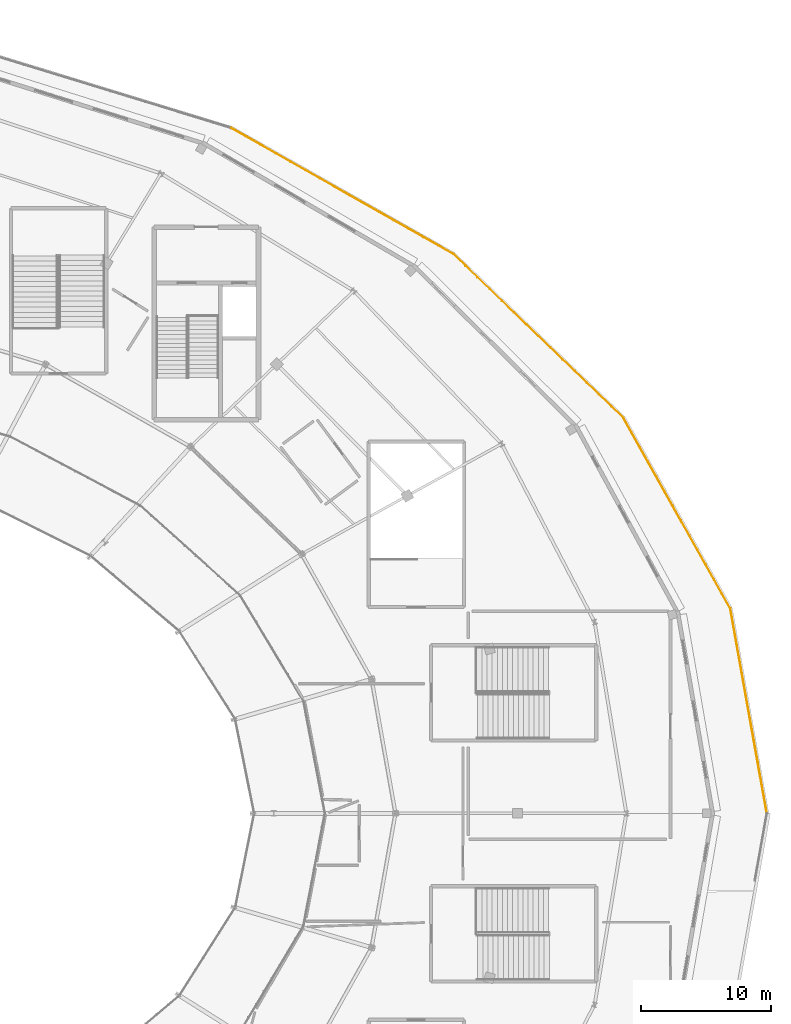
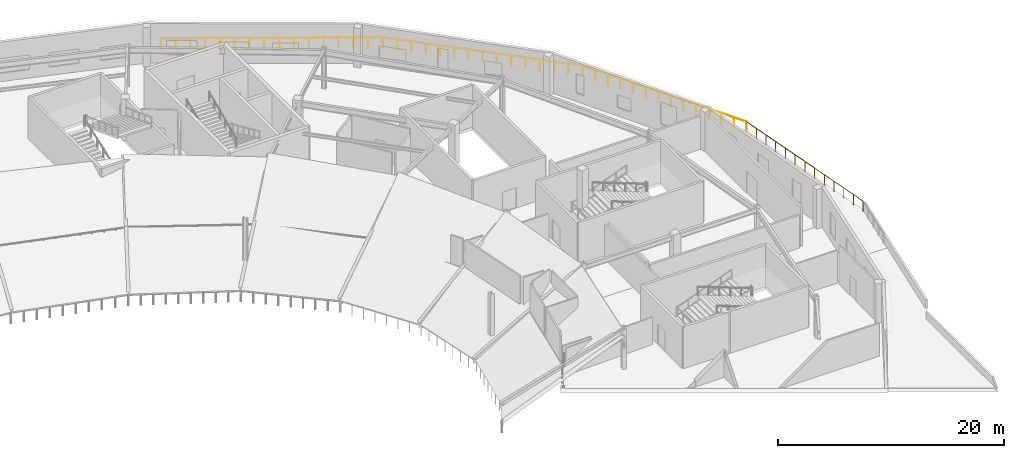
# One storey, part 63 of 63: 4 railings.
"""IFC4 building model written with IfcOpenShell, lengths in metres."""

from ifc_helpers import new_model, si_unit, direction, frame, origin, origin_2d, place, context, subcontext, project, spatial, circle, extrude, material, type_object, element, save


model = new_model("IFC4")

# Units and contexts
model_context = context("Model", 3, precision=1e-05, world=origin(), true_north=direction((0.0, 1.0)))
body_context = subcontext(model_context, "Body", "Model", "MODEL_VIEW")
ifc_project = project(units=[si_unit("LENGTHUNIT", "METRE"), si_unit("AREAUNIT", "SQUARE_METRE"), si_unit("VOLUMEUNIT", "CUBIC_METRE"), si_unit("PLANEANGLEUNIT", "RADIAN"), si_unit("MASSUNIT", "GRAM", prefix="KILO")], contexts=[model_context])

# Site, building, storey
site_placement = place(None, origin())
site = spatial("IfcSite", under=ifc_project, at=site_placement, CompositionType="ELEMENT")
building_placement = place(site_placement, origin())
building = spatial("IfcBuilding", under=site, at=building_placement, Name="Kalgoora Escarpment Arena", CompositionType="ELEMENT")
storey_placement = place(building_placement, frame((0.0, 0.0, 14.39990234375)))
storey = spatial("IfcBuildingStorey", under=building, at=storey_placement, Name="L03", CompositionType="ELEMENT", Elevation=14.39990234375)

# Railings
ifc_material = material(Name="Champagne anodised aluminium & laminated glass", Category="aluminium")
railing_type = type_object("IfcRailingType", Name="RAL-TERR-1100", PredefinedType="GUARDRAIL", material=ifc_material)
railing_1_placement = place(storey_placement, frame((133.736328125, 116.85302734375, 0.0)))
element("IfcRailing", 1, at=railing_1_placement, inside=storey, type_object=railing_type, Name="Upper Planted Elliptical Garden Terrace perimeter guardrail 019", PredefinedType="GUARDRAIL", context=body_context, shape_type="SweptSolid", body=[
    extrude(circle(Radius=0.02392578125, at=origin_2d()), frame((0.0, 0.0, 1.09619140625), z_axis=(0.8698367404, -0.493339685258, 0.0), x_axis=(0.493339685258, 0.8698367404, 0.0)), (0.0, 0.0, 1.0), 19.6767578125),
    extrude(circle(Radius=0.02099609375, at=origin_2d()), origin(), (0.0, 0.0, 1.0), 1.072021484375),
    extrude(circle(Radius=0.02099609375, at=origin_2d()), frame((1.14111328125, -0.647216796875, 0.0)), (0.0, 0.0, 1.0), 1.072021484375),
    extrude(circle(Radius=0.02099609375, at=origin_2d()), frame((2.281982421875, -1.294189453125, 0.0)), (0.0, 0.0, 1.0), 1.072021484375),
    extrude(circle(Radius=0.02099609375, at=origin_2d()), frame((3.423095703125, -1.94140625, 0.0)), (0.0, 0.0, 1.0), 1.072021484375),
    extrude(circle(Radius=0.02099609375, at=origin_2d()), frame((4.564208984375, -2.588623046875, 0.0)), (0.0, 0.0, 1.0), 1.072021484375),
    extrude(circle(Radius=0.02099609375, at=origin_2d()), frame((5.705078125, -3.23583984375, 0.0)), (0.0, 0.0, 1.0), 1.072021484375),
    extrude(circle(Radius=0.02099609375, at=origin_2d()), frame((6.84619140625, -3.8828125, 0.0)), (0.0, 0.0, 1.0), 1.072021484375),
    extrude(circle(Radius=0.02099609375, at=origin_2d()), frame((7.9873046875, -4.530029296875, 0.0)), (0.0, 0.0, 1.0), 1.072021484375),
    extrude(circle(Radius=0.02099609375, at=origin_2d()), frame((9.128173828125, -5.17724609375, 0.0)), (0.0, 0.0, 1.0), 1.072021484375),
    extrude(circle(Radius=0.02099609375, at=origin_2d()), frame((10.269287109375, -5.824462890625, 0.0)), (0.0, 0.0, 1.0), 1.072021484375),
    extrude(circle(Radius=0.02099609375, at=origin_2d()), frame((11.410400390625, -6.471435546875, 0.0)), (0.0, 0.0, 1.0), 1.072021484375),
    extrude(circle(Radius=0.02099609375, at=origin_2d()), frame((12.55126953125, -7.11865234375, 0.0)), (0.0, 0.0, 1.0), 1.072021484375),
    extrude(circle(Radius=0.02099609375, at=origin_2d()), frame((13.6923828125, -7.765869140625, 0.0)), (0.0, 0.0, 1.0), 1.072021484375),
    extrude(circle(Radius=0.02099609375, at=origin_2d()), frame((14.83349609375, -8.4130859375, 0.0)), (0.0, 0.0, 1.0), 1.072021484375),
    extrude(circle(Radius=0.02099609375, at=origin_2d()), frame((15.974365234375, -9.06005859375, 0.0)), (0.0, 0.0, 1.0), 1.072021484375),
    extrude(circle(Radius=0.02099609375, at=origin_2d()), frame((17.115478515625, -9.707275390625, 0.0)), (0.0, 0.0, 1.0), 1.072021484375),
])
railing_2_placement = place(storey_placement, frame((150.851806640625, 107.145751953125, 0.0)))
element("IfcRailing", 2, at=railing_2_placement, inside=storey, type_object=railing_type, Name="Upper Planted Elliptical Garden Terrace perimeter guardrail 020", PredefinedType="GUARDRAIL", context=body_context, shape_type="SweptSolid", body=[
    extrude(circle(Radius=0.02392578125, at=origin_2d()), frame((0.0, 0.0, 1.09619140625), z_axis=(0.720223535325, -0.693742069623, 0.0), x_axis=(0.693742069623, 0.720223535325, 0.0)), (0.0, 0.0, 1.0), 18.2265625),
    extrude(circle(Radius=0.02099609375, at=origin_2d()), origin(), (0.0, 0.0, 1.0), 1.072021484375),
    extrude(circle(Radius=0.02099609375, at=origin_2d()), frame((0.937744140625, -0.903076171875, 0.0)), (0.0, 0.0, 1.0), 1.072021484375),
    extrude(circle(Radius=0.02099609375, at=origin_2d()), frame((1.875244140625, -1.806396484375, 0.0)), (0.0, 0.0, 1.0), 1.072021484375),
    extrude(circle(Radius=0.02099609375, at=origin_2d()), frame((2.81298828125, -2.70947265625, 0.0)), (0.0, 0.0, 1.0), 1.072021484375),
    extrude(circle(Radius=0.02099609375, at=origin_2d()), frame((3.750732421875, -3.61279296875, 0.0)), (0.0, 0.0, 1.0), 1.072021484375),
    extrude(circle(Radius=0.02099609375, at=origin_2d()), frame((4.688232421875, -4.515869140625, 0.0)), (0.0, 0.0, 1.0), 1.072021484375),
    extrude(circle(Radius=0.02099609375, at=origin_2d()), frame((5.6259765625, -5.419189453125, 0.0)), (0.0, 0.0, 1.0), 1.072021484375),
    extrude(circle(Radius=0.02099609375, at=origin_2d()), frame((6.5634765625, -6.322265625, 0.0)), (0.0, 0.0, 1.0), 1.072021484375),
    extrude(circle(Radius=0.02099609375, at=origin_2d()), frame((7.501220703125, -7.225341796875, 0.0)), (0.0, 0.0, 1.0), 1.072021484375),
    extrude(circle(Radius=0.02099609375, at=origin_2d()), frame((8.43896484375, -8.128662109375, 0.0)), (0.0, 0.0, 1.0), 1.072021484375),
    extrude(circle(Radius=0.02099609375, at=origin_2d()), frame((9.37646484375, -9.03173828125, 0.0)), (0.0, 0.0, 1.0), 1.072021484375),
    extrude(circle(Radius=0.02099609375, at=origin_2d()), frame((10.314208984375, -9.93505859375, 0.0)), (0.0, 0.0, 1.0), 1.072021484375),
    extrude(circle(Radius=0.02099609375, at=origin_2d()), frame((11.251953125, -10.838134765625, 0.0)), (0.0, 0.0, 1.0), 1.072021484375),
    extrude(circle(Radius=0.02099609375, at=origin_2d()), frame((12.189453125, -11.741455078125, 0.0)), (0.0, 0.0, 1.0), 1.072021484375),
    extrude(circle(Radius=0.02099609375, at=origin_2d()), frame((13.127197265625, -12.64453125, 0.0)), (0.0, 0.0, 1.0), 1.072021484375),
])
railing_3_placement = place(storey_placement, frame((163.97900390625, 94.501220703125, 0.0)))
element("IfcRailing", 3, at=railing_3_placement, inside=storey, type_object=railing_type, Name="Upper Planted Elliptical Garden Terrace perimeter guardrail 021", PredefinedType="GUARDRAIL", context=body_context, shape_type="SweptSolid", body=[
    extrude(circle(Radius=0.02392578125, at=origin_2d()), frame((0.0, 0.0, 1.09619140625), z_axis=(0.488860270972, -0.872362101117, 0.0), x_axis=(0.872362101117, 0.488860270972, 0.0)), (0.0, 0.0, 1.0), 16.869384765625),
    extrude(circle(Radius=0.02099609375, at=origin_2d()), origin(), (0.0, 0.0, 1.0), 1.072021484375),
    extrude(circle(Radius=0.02099609375, at=origin_2d()), frame((0.63427734375, -1.132080078125, 0.0)), (0.0, 0.0, 1.0), 1.072021484375),
    extrude(circle(Radius=0.02099609375, at=origin_2d()), frame((1.268798828125, -2.26416015625, 0.0)), (0.0, 0.0, 1.0), 1.072021484375),
    extrude(circle(Radius=0.02099609375, at=origin_2d()), frame((1.903076171875, -3.39599609375, 0.0)), (0.0, 0.0, 1.0), 1.072021484375),
    extrude(circle(Radius=0.02099609375, at=origin_2d()), frame((2.53759765625, -4.528076171875, 0.0)), (0.0, 0.0, 1.0), 1.072021484375),
    extrude(circle(Radius=0.02099609375, at=origin_2d()), frame((3.171875, -5.66015625, 0.0)), (0.0, 0.0, 1.0), 1.072021484375),
    extrude(circle(Radius=0.02099609375, at=origin_2d()), frame((3.80615234375, -6.792236328125, 0.0)), (0.0, 0.0, 1.0), 1.072021484375),
    extrude(circle(Radius=0.02099609375, at=origin_2d()), frame((4.440673828125, -7.924072265625, 0.0)), (0.0, 0.0, 1.0), 1.072021484375),
    extrude(circle(Radius=0.02099609375, at=origin_2d()), frame((5.074951171875, -9.05615234375, 0.0)), (0.0, 0.0, 1.0), 1.072021484375),
    extrude(circle(Radius=0.02099609375, at=origin_2d()), frame((5.709228515625, -10.188232421875, 0.0)), (0.0, 0.0, 1.0), 1.072021484375),
    extrude(circle(Radius=0.02099609375, at=origin_2d()), frame((6.34375, -11.3203125, 0.0)), (0.0, 0.0, 1.0), 1.072021484375),
    extrude(circle(Radius=0.02099609375, at=origin_2d()), frame((6.97802734375, -12.4521484375, 0.0)), (0.0, 0.0, 1.0), 1.072021484375),
    extrude(circle(Radius=0.02099609375, at=origin_2d()), frame((7.612548828125, -13.584228515625, 0.0)), (0.0, 0.0, 1.0), 1.072021484375),
    extrude(circle(Radius=0.02099609375, at=origin_2d()), frame((8.246826171875, -14.71630859375, 0.0)), (0.0, 0.0, 1.0), 1.072021484375),
])
railing_4_placement = place(storey_placement, frame((172.225830078125, 79.784912109375, 0.0)))
element("IfcRailing", 4, at=railing_4_placement, inside=storey, type_object=railing_type, Name="Upper Planted Elliptical Garden Terrace perimeter guardrail 022", PredefinedType="GUARDRAIL", context=body_context, shape_type="SweptSolid", body=[
    extrude(circle(Radius=0.02392578125, at=origin_2d()), frame((0.0, 0.0, 1.09619140625), z_axis=(0.175369536137, -0.984502679425, 0.0), x_axis=(0.984502679425, 0.175369536137, 0.0)), (0.0, 0.0, 1.0), 16.033447265625),
    extrude(circle(Radius=0.02099609375, at=origin_2d()), origin(), (0.0, 0.0, 1.0), 1.072021484375),
    extrude(circle(Radius=0.02099609375, at=origin_2d()), frame((0.234375, -1.3154296875, 0.0)), (0.0, 0.0, 1.0), 1.072021484375),
    extrude(circle(Radius=0.02099609375, at=origin_2d()), frame((0.46875, -2.630859375, 0.0)), (0.0, 0.0, 1.0), 1.072021484375),
    extrude(circle(Radius=0.02099609375, at=origin_2d()), frame((0.702880859375, -3.9462890625, 0.0)), (0.0, 0.0, 1.0), 1.072021484375),
    extrude(circle(Radius=0.02099609375, at=origin_2d()), frame((0.937255859375, -5.26171875, 0.0)), (0.0, 0.0, 1.0), 1.072021484375),
    extrude(circle(Radius=0.02099609375, at=origin_2d()), frame((1.171630859375, -6.5771484375, 0.0)), (0.0, 0.0, 1.0), 1.072021484375),
    extrude(circle(Radius=0.02099609375, at=origin_2d()), frame((1.40576171875, -7.892578125, 0.0)), (0.0, 0.0, 1.0), 1.072021484375),
    extrude(circle(Radius=0.02099609375, at=origin_2d()), frame((1.64013671875, -9.207763671875, 0.0)), (0.0, 0.0, 1.0), 1.072021484375),
    extrude(circle(Radius=0.02099609375, at=origin_2d()), frame((1.87451171875, -10.523193359375, 0.0)), (0.0, 0.0, 1.0), 1.072021484375),
    extrude(circle(Radius=0.02099609375, at=origin_2d()), frame((2.10888671875, -11.838623046875, 0.0)), (0.0, 0.0, 1.0), 1.072021484375),
    extrude(circle(Radius=0.02099609375, at=origin_2d()), frame((2.34326171875, -13.154052734375, 0.0)), (0.0, 0.0, 1.0), 1.072021484375),
    extrude(circle(Radius=0.02099609375, at=origin_2d()), frame((2.577392578125, -14.469482421875, 0.0)), (0.0, 0.0, 1.0), 1.072021484375),
    extrude(circle(Radius=0.02099609375, at=origin_2d()), frame((2.811767578125, -15.784912109375, 0.0)), (0.0, 0.0, 1.0), 1.072021484375),
])

save(model, "model.ifc")
